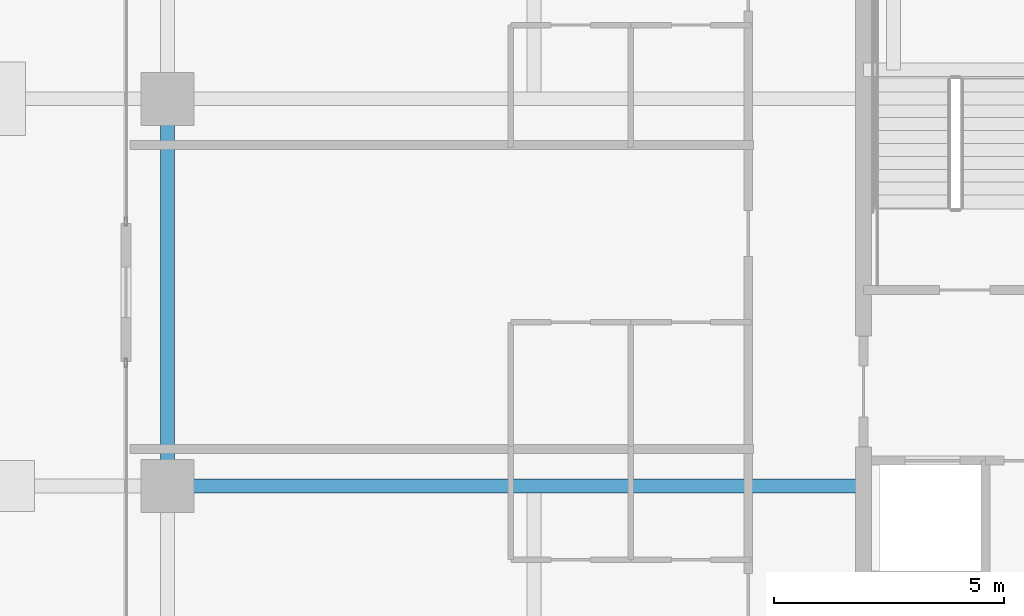
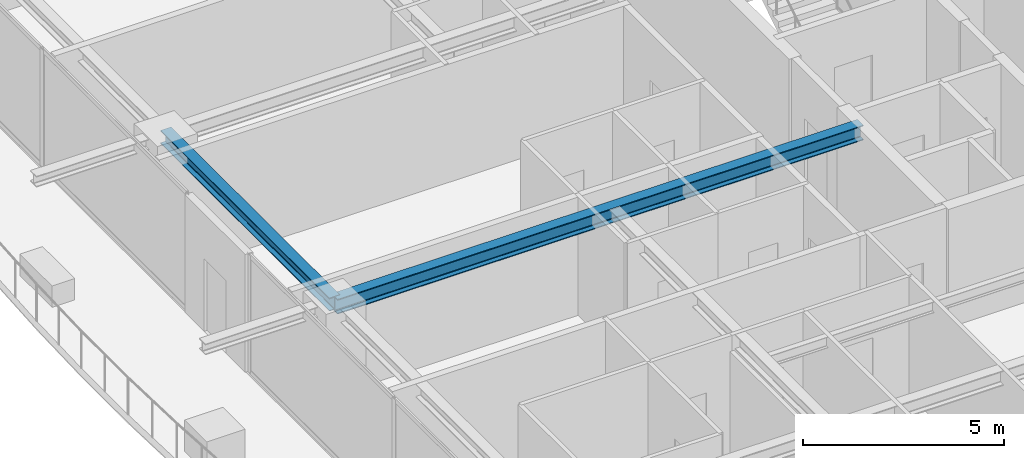
# One storey, part 9 of 38: 2 beams.
"""IFC4 building model written with IfcOpenShell, lengths in metres."""

from ifc_helpers import new_model, si_unit, direction, frame, origin, origin_2d, place, context, subcontext, project, spatial, i_section, extrude, source, transform, mapped, material, material_profile, profile_set, type_object, element, save


model = new_model("IFC4")

# Units and contexts
model_context = context("Model", 3, precision=1e-05, world=origin(), true_north=direction((0.0, 1.0)))
body_context = subcontext(model_context, "Body", "Model", "MODEL_VIEW")
ifc_project = project(units=[si_unit("LENGTHUNIT", "METRE"), si_unit("AREAUNIT", "SQUARE_METRE"), si_unit("VOLUMEUNIT", "CUBIC_METRE"), si_unit("PLANEANGLEUNIT", "RADIAN"), si_unit("MASSUNIT", "GRAM", prefix="KILO")], contexts=[model_context])

# Site, building, storey
site_placement = place(None, origin())
site = spatial("IfcSite", under=ifc_project, at=site_placement, CompositionType="ELEMENT")
building_placement = place(site_placement, origin())
building = spatial("IfcBuilding", under=site, at=building_placement, Name="Serunith Strait Residences", CompositionType="ELEMENT")
storey_placement = place(building_placement, frame((0.0, 0.0, 237.39990234375)))
storey = spatial("IfcBuildingStorey", under=building, at=storey_placement, Name="L59", CompositionType="ELEMENT", Elevation=237.39990234375)

# Beams
ifc_material = material(Name="Steel S355J2", Category="steel")
ifc_material_profile_1 = material_profile(ifc_material, i_section(OverallWidth=0.300048828125, OverallDepth=0.449951171875, WebThickness=0.013916015625, FlangeThickness=0.02587890625, FilletRadius=0.027099609375, at=origin_2d()), Name="HEB 450")
ifc_profile_set_1 = profile_set([ifc_material_profile_1], Name="Steel S355J2")
beam_type_1 = type_object("IfcBeamType", Name="BM-HEB450", PredefinedType="BEAM", material=ifc_profile_set_1)
shared_shape_1 = source(origin(), body_context, "Body", "SweptSolid", [
    extrude(i_section(OverallWidth=0.300048828125, OverallDepth=0.449951171875, WebThickness=0.013916015625, FlangeThickness=0.02587890625, FilletRadius=0.027099609375, at=origin_2d()), origin(), (0.0, 0.0, 1.0), 15.099853515625),
])
beam_1_placement = place(storey_placement, frame((23.39990234375, 21.0, 3.362060546875), z_axis=(-1.0, 0.0, 0.0), x_axis=(0.0, -1.0, 0.0)))
element("IfcBeam", 1, at=beam_1_placement, inside=storey, type_object=beam_type_1, Name="L59 Primary Floor Girder TC-W2", PredefinedType="BEAM", context=body_context, shape_type="MappedRepresentation", body=[
    mapped(shared_shape_1, transform((0.0, 0.0, 0.0), scale=1.0)),
])
ifc_material_profile_2 = material_profile(ifc_material, i_section(OverallWidth=0.300048828125, OverallDepth=0.39990234375, WebThickness=0.013427734375, FlangeThickness=0.02392578125, FilletRadius=0.027099609375, at=origin_2d()), Name="HEB 400")
ifc_profile_set_2 = profile_set([ifc_material_profile_2], Name="Steel S355J2")
beam_type_2 = type_object("IfcBeamType", Name="BM-HEB400", PredefinedType="BEAM", material=ifc_profile_set_2)
shared_shape_2 = source(origin(), body_context, "Body", "SweptSolid", [
    extrude(i_section(OverallWidth=0.300048828125, OverallDepth=0.39990234375, WebThickness=0.013427734375, FlangeThickness=0.02392578125, FilletRadius=0.027099609375, at=origin_2d()), origin(), (0.0, 0.0, 1.0), 8.39990234375),
])
beam_2_placement = place(storey_placement, frame((8.300048828125, 29.39990234375, 3.38720703125), z_axis=(0.0, -1.0, 0.0), x_axis=(1.0, 0.0, 0.0)))
element("IfcBeam", 2, at=beam_2_placement, inside=storey, type_object=beam_type_2, Name="L59 Perimeter Ring Beam 14", PredefinedType="BEAM", context=body_context, shape_type="MappedRepresentation", body=[
    mapped(shared_shape_2, transform((0.0, 0.0, 0.0), scale=1.0)),
])

save(model, "model.ifc")
